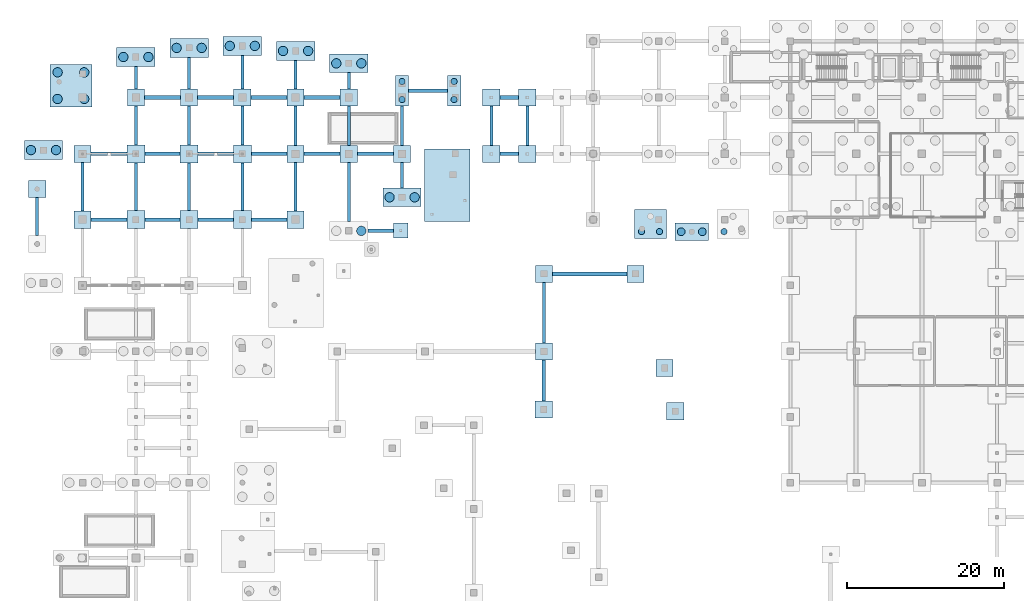
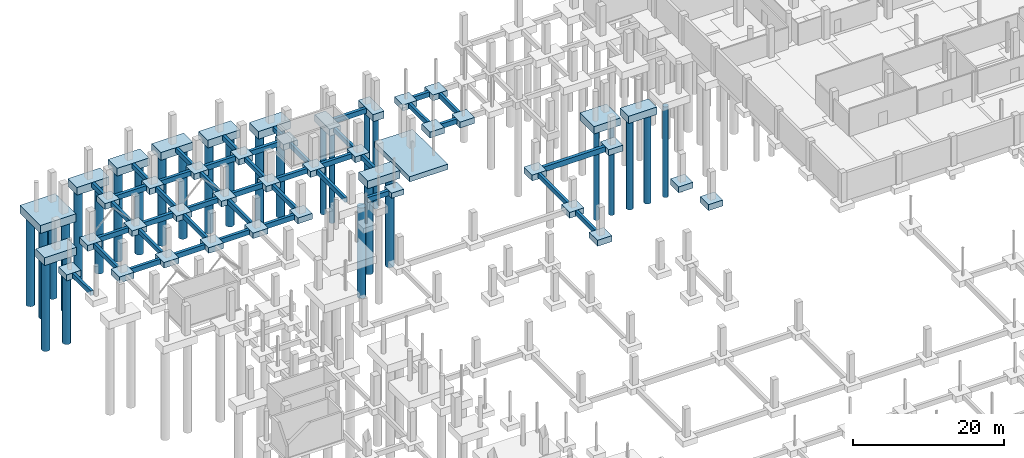
# One storey, part 4 of 44: 84 footings, 28 piles.
"""IFC4 building model written with IfcOpenShell, lengths in metres."""

from ifc_helpers import new_model, si_unit, direction, frame, origin, origin_2d, place, context, subcontext, project, spatial, rectangle, circle, extrude, material, material_profile, profile_set, type_object, element, save


model = new_model("IFC4")

# Units and contexts
model_context = context("Model", 3, precision=1e-05, world=origin(), true_north=direction((0.0, 1.0)))
body_context = subcontext(model_context, "Body", "Model", "MODEL_VIEW")
ifc_project = project(units=[si_unit("LENGTHUNIT", "METRE"), si_unit("AREAUNIT", "SQUARE_METRE"), si_unit("VOLUMEUNIT", "CUBIC_METRE"), si_unit("PLANEANGLEUNIT", "RADIAN"), si_unit("MASSUNIT", "GRAM", prefix="KILO")], contexts=[model_context])

# Site, building, storey
site_placement = place(None, origin())
site = spatial("IfcSite", under=ifc_project, at=site_placement, CompositionType="ELEMENT")
building_placement = place(site_placement, origin())
building = spatial("IfcBuilding", under=site, at=building_placement, Name="Kisaragi Civic Commons", CompositionType="ELEMENT")
storey_placement = place(building_placement, frame((0.0, 0.0, -4.800048828125)))
storey = spatial("IfcBuildingStorey", under=building, at=storey_placement, Name="B1", CompositionType="ELEMENT", Elevation=-4.800048828125)

# Footings
ifc_material_1 = material(Name="Concrete Fc27", Category="concrete")
ifc_material_profile_1 = material_profile(ifc_material_1, rectangle(XDim=0.5, YDim=0.85009765625, at=origin_2d()), Name="RC-500x850", Category="concrete")
ifc_profile_set_1 = profile_set([ifc_material_profile_1], Name="Concrete Fc27")
footing_type_1 = type_object("IfcFootingType", Name="FB-01", PredefinedType="FOOTING_BEAM", material=ifc_profile_set_1)
footing_1_placement = place(storey_placement, frame((66.83642578125, 89.073486328125, -0.425048828125), z_axis=(1.0, 0.0, 0.0), x_axis=(0.0, 1.0, 0.0)))
element("IfcFooting", 1, at=footing_1_placement, inside=storey, type_object=footing_type_1, Name="Foundation tie beam FB-01 X98", PredefinedType="FOOTING_BEAM", context=body_context, shape_type="SweptSolid", body=[
    extrude(rectangle(XDim=0.5, YDim=0.85009765625, at=origin_2d()), origin(), (0.0, 0.0, 1.0), 9.4736328125),
])
ifc_material_profile_2 = material_profile(ifc_material_1, rectangle(XDim=0.449951171875, YDim=0.800048828125, at=origin_2d()), Name="RC-450x800", Category="concrete")
ifc_profile_set_2 = profile_set([ifc_material_profile_2], Name="Concrete Fc27")
footing_type_2 = type_object("IfcFootingType", Name="FB-02", PredefinedType="FOOTING_BEAM", material=ifc_profile_set_2)
footing_2_placement = place(storey_placement, frame((43.25, 94.565185546875, -0.39990234375), z_axis=(1.0, 0.0, 0.0), x_axis=(0.0, 1.0, 0.0)))
element("IfcFooting", 2, at=footing_2_placement, inside=storey, type_object=footing_type_2, Name="Foundation tie beam FB-02 X99", PredefinedType="FOOTING_BEAM", context=body_context, shape_type="SweptSolid", body=[
    extrude(rectangle(XDim=0.449951171875, YDim=0.800048828125, at=origin_2d()), origin(), (0.0, 0.0, 1.0), 3.232666015625),
])
footing_3_placement = place(storey_placement, frame((7.89990234375, 96.0, -0.39990234375), z_axis=(1.0, 0.0, 0.0), x_axis=(0.0, 1.0, 0.0)))
element("IfcFooting", 3, at=footing_3_placement, inside=storey, type_object=footing_type_2, Name="Foundation tie beam FB-02 X100", PredefinedType="FOOTING_BEAM", context=body_context, shape_type="SweptSolid", body=[
    extrude(rectangle(XDim=0.449951171875, YDim=0.800048828125, at=origin_2d()), origin(), (0.0, 0.0, 1.0), 4.550048828125),
])
for number, where, z_axis, x_axis, name in (
    (4, (14.75, 96.0, -0.39990234375), (1.0, 0.0, 0.0), (0.0, 1.0, 0.0), "Foundation tie beam FB-02 X101"),
    (5, (21.550048828125, 96.0, -0.39990234375), (1.0, 0.0, 0.0), (0.0, 1.0, 0.0), "Foundation tie beam FB-02 X102"),
):
    element("IfcFooting", number, at=place(storey_placement, frame(where, z_axis=z_axis, x_axis=x_axis)), inside=storey, type_object=footing_type_2, Name=name, PredefinedType="FOOTING_BEAM", context=body_context, shape_type="SweptSolid", body=[
        extrude(rectangle(XDim=0.449951171875, YDim=0.800048828125, at=origin_2d()), origin(), (0.0, 0.0, 1.0), 4.5),
    ])
footing_4_placement = place(storey_placement, frame((28.35009765625, 96.0, -0.39990234375), z_axis=(1.0, 0.0, 0.0), x_axis=(0.0, 1.0, 0.0)))
element("IfcFooting", 6, at=footing_4_placement, inside=storey, type_object=footing_type_2, Name="Foundation tie beam FB-02 X103", PredefinedType="FOOTING_BEAM", context=body_context, shape_type="SweptSolid", body=[
    extrude(rectangle(XDim=0.449951171875, YDim=0.800048828125, at=origin_2d()), origin(), (0.0, 0.0, 1.0), 4.5498046875),
])
footing_5_placement = place(storey_placement, frame((7.89990234375, 104.39990234375, -0.39990234375), z_axis=(1.0, 0.0, 0.0), x_axis=(0.0, 1.0, 0.0)))
element("IfcFooting", 7, at=footing_5_placement, inside=storey, type_object=footing_type_2, Name="Foundation tie beam FB-02 X109", PredefinedType="FOOTING_BEAM", context=body_context, shape_type="SweptSolid", body=[
    extrude(rectangle(XDim=0.449951171875, YDim=0.800048828125, at=origin_2d()), origin(), (0.0, 0.0, 1.0), 4.550048828125),
])
for number, where, z_axis, x_axis, name in (
    (8, (14.75, 104.39990234375, -0.39990234375), (1.0, 0.0, 0.0), (0.0, 1.0, 0.0), "Foundation tie beam FB-02 X110"),
    (9, (21.550048828125, 104.39990234375, -0.39990234375), (1.0, 0.0, 0.0), (0.0, 1.0, 0.0), "Foundation tie beam FB-02 X111"),
):
    element("IfcFooting", number, at=place(storey_placement, frame(where, z_axis=z_axis, x_axis=x_axis)), inside=storey, type_object=footing_type_2, Name=name, PredefinedType="FOOTING_BEAM", context=body_context, shape_type="SweptSolid", body=[
        extrude(rectangle(XDim=0.449951171875, YDim=0.800048828125, at=origin_2d()), origin(), (0.0, 0.0, 1.0), 4.5),
    ])
footing_6_placement = place(storey_placement, frame((28.35009765625, 104.39990234375, -0.39990234375), z_axis=(1.0, 0.0, 0.0), x_axis=(0.0, 1.0, 0.0)))
element("IfcFooting", 10, at=footing_6_placement, inside=storey, type_object=footing_type_2, Name="Foundation tie beam FB-02 X112", PredefinedType="FOOTING_BEAM", context=body_context, shape_type="SweptSolid", body=[
    extrude(rectangle(XDim=0.449951171875, YDim=0.800048828125, at=origin_2d()), origin(), (0.0, 0.0, 1.0), 4.5498046875),
])
footing_7_placement = place(storey_placement, frame((35.10009765625, 104.39990234375, -0.39990234375), z_axis=(1.0, 0.0, 0.0), x_axis=(0.0, 1.0, 0.0)))
element("IfcFooting", 11, at=footing_7_placement, inside=storey, type_object=footing_type_2, Name="Foundation tie beam FB-02 X113", PredefinedType="FOOTING_BEAM", context=body_context, shape_type="SweptSolid", body=[
    extrude(rectangle(XDim=0.449951171875, YDim=0.800048828125, at=origin_2d()), origin(), (0.0, 0.0, 1.0), 4.599853515625),
])
footing_8_placement = place(storey_placement, frame((41.89990234375, 104.39990234375, -0.39990234375), z_axis=(1.0, 0.0, 0.0), x_axis=(0.0, 1.0, 0.0)))
element("IfcFooting", 12, at=footing_8_placement, inside=storey, type_object=footing_type_2, Name="Foundation tie beam FB-02 X114", PredefinedType="FOOTING_BEAM", context=body_context, shape_type="SweptSolid", body=[
    extrude(rectangle(XDim=0.449951171875, YDim=0.800048828125, at=origin_2d()), origin(), (0.0, 0.0, 1.0), 4.60009765625),
])
footing_9_placement = place(storey_placement, frame((60.10009765625, 104.39990234375, -0.39990234375), z_axis=(1.0, 0.0, 0.0), x_axis=(0.0, 1.0, 0.0)))
element("IfcFooting", 13, at=footing_9_placement, inside=storey, type_object=footing_type_2, Name="Foundation tie beam FB-02 X115", PredefinedType="FOOTING_BEAM", context=body_context, shape_type="SweptSolid", body=[
    extrude(rectangle(XDim=0.449951171875, YDim=0.800048828125, at=origin_2d()), origin(), (0.0, 0.0, 1.0), 2.39990234375),
])
for number, where, z_axis, x_axis, name in (
    (14, (14.699951171875, 111.60009765625, -0.39990234375), (1.0, 0.0, 0.0), (0.0, 1.0, 0.0), "Foundation tie beam FB-02 X128"),
    (15, (21.5, 111.60009765625, -0.39990234375), (1.0, 0.0, 0.0), (0.0, 1.0, 0.0), "Foundation tie beam FB-02 X129"),
):
    element("IfcFooting", number, at=place(storey_placement, frame(where, z_axis=z_axis, x_axis=x_axis)), inside=storey, type_object=footing_type_2, Name=name, PredefinedType="FOOTING_BEAM", context=body_context, shape_type="SweptSolid", body=[
        extrude(rectangle(XDim=0.449951171875, YDim=0.800048828125, at=origin_2d()), origin(), (0.0, 0.0, 1.0), 4.60009765625),
    ])
for number, where, z_axis, x_axis, name in (
    (16, (28.300048828125, 111.60009765625, -0.39990234375), (1.0, 0.0, 0.0), (0.0, 1.0, 0.0), "Foundation tie beam FB-02 X130"),
    (17, (35.10009765625, 111.60009765625, -0.39990234375), (1.0, 0.0, 0.0), (0.0, 1.0, 0.0), "Foundation tie beam FB-02 X131"),
):
    element("IfcFooting", number, at=place(storey_placement, frame(where, z_axis=z_axis, x_axis=x_axis)), inside=storey, type_object=footing_type_2, Name=name, PredefinedType="FOOTING_BEAM", context=body_context, shape_type="SweptSolid", body=[
        extrude(rectangle(XDim=0.449951171875, YDim=0.800048828125, at=origin_2d()), origin(), (0.0, 0.0, 1.0), 4.599853515625),
    ])
footing_10_placement = place(storey_placement, frame((60.10009765625, 111.60009765625, -0.39990234375), z_axis=(1.0, 0.0, 0.0), x_axis=(0.0, 1.0, 0.0)))
element("IfcFooting", 18, at=footing_10_placement, inside=storey, type_object=footing_type_2, Name="Foundation tie beam FB-02 X132", PredefinedType="FOOTING_BEAM", context=body_context, shape_type="SweptSolid", body=[
    extrude(rectangle(XDim=0.449951171875, YDim=0.800048828125, at=origin_2d()), origin(), (0.0, 0.0, 1.0), 2.39990234375),
])
footing_11_placement = place(storey_placement, frame((48.449951171875, 112.489990234375, -0.39990234375), z_axis=(1.0, 0.0, 0.0), x_axis=(0.0, 1.0, 0.0)))
element("IfcFooting", 19, at=footing_11_placement, inside=storey, type_object=footing_type_2, Name="Foundation tie beam FB-02 X145", PredefinedType="FOOTING_BEAM", context=body_context, shape_type="SweptSolid", body=[
    extrude(rectangle(XDim=0.449951171875, YDim=0.800048828125, at=origin_2d()), origin(), (0.0, 0.0, 1.0), 4.949951171875),
])
ifc_material_profile_3 = material_profile(ifc_material_1, rectangle(XDim=0.39990234375, YDim=0.75, at=origin_2d()), Name="RC-400x750", Category="concrete")
ifc_profile_set_3 = profile_set([ifc_material_profile_3], Name="Concrete Fc27")
footing_type_3 = type_object("IfcFootingType", Name="FB-03", PredefinedType="FOOTING_BEAM", material=ifc_profile_set_3)
footing_12_placement = place(storey_placement, frame((0.9912109375, 93.99658203125, -0.375), z_axis=(0.0, 1.0, 0.0), x_axis=(-1.0, 0.0, 0.0)))
element("IfcFooting", 20, at=footing_12_placement, inside=storey, type_object=footing_type_3, Name="Foundation tie beam FB-03 Y155", PredefinedType="FOOTING_BEAM", context=body_context, shape_type="SweptSolid", body=[
    extrude(rectangle(XDim=0.39990234375, YDim=0.75, at=origin_2d()), origin(), (0.0, 0.0, 1.0), 4.806884765625),
])
footing_13_placement = place(storey_placement, frame((6.800048828125, 97.10009765625, -0.375), z_axis=(0.0, 1.0, 0.0), x_axis=(-1.0, 0.0, 0.0)))
element("IfcFooting", 21, at=footing_13_placement, inside=storey, type_object=footing_type_3, Name="Foundation tie beam FB-03 Y160", PredefinedType="FOOTING_BEAM", context=body_context, shape_type="SweptSolid", body=[
    extrude(rectangle(XDim=0.39990234375, YDim=0.75, at=origin_2d()), origin(), (0.0, 0.0, 1.0), 6.199951171875),
])
footing_14_placement = place(storey_placement, frame((13.60009765625, 97.14990234375, -0.375), z_axis=(0.0, 1.0, 0.0), x_axis=(-1.0, 0.0, 0.0)))
element("IfcFooting", 22, at=footing_14_placement, inside=storey, type_object=footing_type_3, Name="Foundation tie beam FB-03 Y173", PredefinedType="FOOTING_BEAM", context=body_context, shape_type="SweptSolid", body=[
    extrude(rectangle(XDim=0.39990234375, YDim=0.75, at=origin_2d()), origin(), (0.0, 0.0, 1.0), 6.10009765625),
])
footing_15_placement = place(storey_placement, frame((13.60009765625, 105.550048828125, -0.375), z_axis=(0.0, 1.0, 0.0), x_axis=(-1.0, 0.0, 0.0)))
element("IfcFooting", 23, at=footing_15_placement, inside=storey, type_object=footing_type_3, Name="Foundation tie beam FB-03 Y174", PredefinedType="FOOTING_BEAM", context=body_context, shape_type="SweptSolid", body=[
    extrude(rectangle(XDim=0.39990234375, YDim=0.75, at=origin_2d()), origin(), (0.0, 0.0, 1.0), 4.949951171875),
])
footing_16_placement = place(storey_placement, frame((13.60009765625, 112.699951171875, -0.375), z_axis=(0.0, 1.0, 0.0), x_axis=(-1.0, 0.0, 0.0)))
element("IfcFooting", 24, at=footing_16_placement, inside=storey, type_object=footing_type_3, Name="Foundation tie beam FB-03 Y175", PredefinedType="FOOTING_BEAM", context=body_context, shape_type="SweptSolid", body=[
    extrude(rectangle(XDim=0.39990234375, YDim=0.75, at=origin_2d()), origin(), (0.0, 0.0, 1.0), 2.870361328125),
])
footing_17_placement = place(storey_placement, frame((20.39990234375, 97.14990234375, -0.375), z_axis=(0.0, 1.0, 0.0), x_axis=(-1.0, 0.0, 0.0)))
element("IfcFooting", 25, at=footing_17_placement, inside=storey, type_object=footing_type_3, Name="Foundation tie beam FB-03 Y188", PredefinedType="FOOTING_BEAM", context=body_context, shape_type="SweptSolid", body=[
    extrude(rectangle(XDim=0.39990234375, YDim=0.75, at=origin_2d()), origin(), (0.0, 0.0, 1.0), 6.10009765625),
])
footing_18_placement = place(storey_placement, frame((20.39990234375, 105.550048828125, -0.375), z_axis=(0.0, 1.0, 0.0), x_axis=(-1.0, 0.0, 0.0)))
element("IfcFooting", 26, at=footing_18_placement, inside=storey, type_object=footing_type_3, Name="Foundation tie beam FB-03 Y189", PredefinedType="FOOTING_BEAM", context=body_context, shape_type="SweptSolid", body=[
    extrude(rectangle(XDim=0.39990234375, YDim=0.75, at=origin_2d()), origin(), (0.0, 0.0, 1.0), 4.949951171875),
])
footing_19_placement = place(storey_placement, frame((20.39990234375, 112.699951171875, -0.375), z_axis=(0.0, 1.0, 0.0), x_axis=(-1.0, 0.0, 0.0)))
element("IfcFooting", 27, at=footing_19_placement, inside=storey, type_object=footing_type_3, Name="Foundation tie beam FB-03 Y190", PredefinedType="FOOTING_BEAM", context=body_context, shape_type="SweptSolid", body=[
    extrude(rectangle(XDim=0.39990234375, YDim=0.75, at=origin_2d()), origin(), (0.0, 0.0, 1.0), 4.0341796875),
])
footing_20_placement = place(storey_placement, frame((27.199951171875, 97.14990234375, -0.375), z_axis=(0.0, 1.0, 0.0), x_axis=(-1.0, 0.0, 0.0)))
element("IfcFooting", 28, at=footing_20_placement, inside=storey, type_object=footing_type_3, Name="Foundation tie beam FB-03 Y195", PredefinedType="FOOTING_BEAM", context=body_context, shape_type="SweptSolid", body=[
    extrude(rectangle(XDim=0.39990234375, YDim=0.75, at=origin_2d()), origin(), (0.0, 0.0, 1.0), 6.10009765625),
])
footing_21_placement = place(storey_placement, frame((27.199951171875, 105.550048828125, -0.375), z_axis=(0.0, 1.0, 0.0), x_axis=(-1.0, 0.0, 0.0)))
element("IfcFooting", 29, at=footing_21_placement, inside=storey, type_object=footing_type_3, Name="Foundation tie beam FB-03 Y196", PredefinedType="FOOTING_BEAM", context=body_context, shape_type="SweptSolid", body=[
    extrude(rectangle(XDim=0.39990234375, YDim=0.75, at=origin_2d()), origin(), (0.0, 0.0, 1.0), 4.949951171875),
])
footing_22_placement = place(storey_placement, frame((27.199951171875, 112.699951171875, -0.375), z_axis=(0.0, 1.0, 0.0), x_axis=(-1.0, 0.0, 0.0)))
element("IfcFooting", 30, at=footing_22_placement, inside=storey, type_object=footing_type_3, Name="Foundation tie beam FB-03 Y197", PredefinedType="FOOTING_BEAM", context=body_context, shape_type="SweptSolid", body=[
    extrude(rectangle(XDim=0.39990234375, YDim=0.75, at=origin_2d()), origin(), (0.0, 0.0, 1.0), 4.28857421875),
])
footing_23_placement = place(storey_placement, frame((34.0, 97.10009765625, -0.375), z_axis=(0.0, 1.0, 0.0), x_axis=(-1.0, 0.0, 0.0)))
element("IfcFooting", 31, at=footing_23_placement, inside=storey, type_object=footing_type_3, Name="Foundation tie beam FB-03 Y200", PredefinedType="FOOTING_BEAM", context=body_context, shape_type="SweptSolid", body=[
    extrude(rectangle(XDim=0.39990234375, YDim=0.75, at=origin_2d()), origin(), (0.0, 0.0, 1.0), 6.199951171875),
])
footing_24_placement = place(storey_placement, frame((34.0, 105.5, -0.375), z_axis=(0.0, 1.0, 0.0), x_axis=(-1.0, 0.0, 0.0)))
element("IfcFooting", 32, at=footing_24_placement, inside=storey, type_object=footing_type_3, Name="Foundation tie beam FB-03 Y201", PredefinedType="FOOTING_BEAM", context=body_context, shape_type="SweptSolid", body=[
    extrude(rectangle(XDim=0.39990234375, YDim=0.75, at=origin_2d()), origin(), (0.0, 0.0, 1.0), 5.0),
])
footing_25_placement = place(storey_placement, frame((34.0, 112.699951171875, -0.375), z_axis=(0.0, 1.0, 0.0), x_axis=(-1.0, 0.0, 0.0)))
element("IfcFooting", 33, at=footing_25_placement, inside=storey, type_object=footing_type_3, Name="Foundation tie beam FB-03 Y202", PredefinedType="FOOTING_BEAM", context=body_context, shape_type="SweptSolid", body=[
    extrude(rectangle(XDim=0.39990234375, YDim=0.75, at=origin_2d()), origin(), (0.0, 0.0, 1.0), 3.64599609375),
])
footing_26_placement = place(storey_placement, frame((40.800048828125, 95.76513671875, -0.375), z_axis=(0.0, 1.0, 0.0), x_axis=(-1.0, 0.0, 0.0)))
element("IfcFooting", 34, at=footing_26_placement, inside=storey, type_object=footing_type_3, Name="Foundation tie beam FB-03 Y204", PredefinedType="FOOTING_BEAM", context=body_context, shape_type="SweptSolid", body=[
    extrude(rectangle(XDim=0.39990234375, YDim=0.75, at=origin_2d()), origin(), (0.0, 0.0, 1.0), 7.534912109375),
])
footing_27_placement = place(storey_placement, frame((40.800048828125, 105.5, -0.375), z_axis=(0.0, 1.0, 0.0), x_axis=(-1.0, 0.0, 0.0)))
element("IfcFooting", 35, at=footing_27_placement, inside=storey, type_object=footing_type_3, Name="Foundation tie beam FB-03 Y205", PredefinedType="FOOTING_BEAM", context=body_context, shape_type="SweptSolid", body=[
    extrude(rectangle(XDim=0.39990234375, YDim=0.75, at=origin_2d()), origin(), (0.0, 0.0, 1.0), 5.0),
])
footing_28_placement = place(storey_placement, frame((40.800048828125, 112.699951171875, -0.375), z_axis=(0.0, 1.0, 0.0), x_axis=(-1.0, 0.0, 0.0)))
element("IfcFooting", 36, at=footing_28_placement, inside=storey, type_object=footing_type_3, Name="Foundation tie beam FB-03 Y206", PredefinedType="FOOTING_BEAM", context=body_context, shape_type="SweptSolid", body=[
    extrude(rectangle(XDim=0.39990234375, YDim=0.75, at=origin_2d()), origin(), (0.0, 0.0, 1.0), 2.064208984375),
])
footing_29_placement = place(storey_placement, frame((47.60009765625, 100.05126953125, -0.375), z_axis=(0.0, 1.0, 0.0), x_axis=(-1.0, 0.0, 0.0)))
element("IfcFooting", 37, at=footing_29_placement, inside=storey, type_object=footing_type_3, Name="Foundation tie beam FB-03 Y208", PredefinedType="FOOTING_BEAM", context=body_context, shape_type="SweptSolid", body=[
    extrude(rectangle(XDim=0.39990234375, YDim=0.75, at=origin_2d()), origin(), (0.0, 0.0, 1.0), 3.248779296875),
])
footing_30_placement = place(storey_placement, frame((47.60009765625, 105.5, -0.375), z_axis=(0.0, 1.0, 0.0), x_axis=(-1.0, 0.0, 0.0)))
element("IfcFooting", 38, at=footing_30_placement, inside=storey, type_object=footing_type_3, Name="Foundation tie beam FB-03 Y209", PredefinedType="FOOTING_BEAM", context=body_context, shape_type="SweptSolid", body=[
    extrude(rectangle(XDim=0.39990234375, YDim=0.75, at=origin_2d()), origin(), (0.0, 0.0, 1.0), 5.0400390625),
])
for number, where, z_axis, x_axis, name in (
    (39, (59.0, 105.5, -0.375), (0.0, 1.0, 0.0), (-1.0, 0.0, 0.0), "Foundation tie beam FB-03 Y214"),
    (40, (63.60009765625, 105.5, -0.375), (0.0, 1.0, 0.0), (-1.0, 0.0, 0.0), "Foundation tie beam FB-03 Y216"),
):
    element("IfcFooting", number, at=place(storey_placement, frame(where, z_axis=z_axis, x_axis=x_axis)), inside=storey, type_object=footing_type_3, Name=name, PredefinedType="FOOTING_BEAM", context=body_context, shape_type="SweptSolid", body=[
        extrude(rectangle(XDim=0.39990234375, YDim=0.75, at=origin_2d()), origin(), (0.0, 0.0, 1.0), 5.0),
    ])
footing_31_placement = place(storey_placement, frame((65.701416015625, 72.84765625, -0.375), z_axis=(0.0, 1.0, 0.0), x_axis=(-1.0, 0.0, 0.0)))
element("IfcFooting", 41, at=footing_31_placement, inside=storey, type_object=footing_type_3, Name="Foundation tie beam FB-03 Y218", PredefinedType="FOOTING_BEAM", context=body_context, shape_type="SweptSolid", body=[
    extrude(rectangle(XDim=0.39990234375, YDim=0.75, at=origin_2d()), origin(), (0.0, 0.0, 1.0), 5.21240234375),
])
footing_32_placement = place(storey_placement, frame((65.736328125, 80.260009765625, -0.375), z_axis=(0.0, 1.0, 0.0), x_axis=(-1.0, 0.0, 0.0)))
element("IfcFooting", 42, at=footing_32_placement, inside=storey, type_object=footing_type_3, Name="Foundation tie beam FB-03 Y219", PredefinedType="FOOTING_BEAM", context=body_context, shape_type="SweptSolid", body=[
    extrude(rectangle(XDim=0.39990234375, YDim=0.75, at=origin_2d()), origin(), (0.0, 0.0, 1.0), 7.713623046875),
])

# Piles
ifc_material_profile_4 = material_profile(ifc_material_1, circle(Radius=0.39990234375, at=origin_2d()), Name="PILE-D800", Category="concrete")
ifc_profile_set_4 = profile_set([ifc_material_profile_4], Name="Concrete Fc27")
pile_type_1 = type_object("IfcPileType", Name="P-08", PredefinedType="BORED", material=ifc_profile_set_4)
for number, where, z_axis, x_axis, name in (
    (43, (47.60009765625, 111.340087890625, -1.099853515625), (0.0, 0.0, -1.0), (1.0, 0.0, 0.0), "Bored pile P-08 110.1"),
    (44, (47.60009765625, 113.639892578125, -1.099853515625), (0.0, 0.0, -1.0), (1.0, 0.0, 0.0), "Bored pile P-08 110.2"),
    (45, (54.25, 111.340087890625, -1.099853515625), (0.0, 0.0, -1.0), (1.0, 0.0, 0.0), "Bored pile P-08 117.1"),
    (46, (54.25, 113.639892578125, -1.099853515625), (0.0, 0.0, -1.0), (1.0, 0.0, 0.0), "Bored pile P-08 117.2"),
    (47, (78.17626953125, 94.469482421875, -1.099853515625), (0.0, 0.0, -1.0), (1.0, 0.0, 0.0), "Bored pile P-08 152.1"),
    (48, (80.476318359375, 94.469482421875, -1.099853515625), (0.0, 0.0, -1.0), (1.0, 0.0, 0.0), "Bored pile P-08 152.2"),
    (49, (88.723876953125, 94.469482421875, -1.099853515625), (0.0, 0.0, -1.0), (1.0, 0.0, 0.0), "Bored pile P-08 163.1"),
):
    element("IfcPile", number, at=place(storey_placement, frame(where, z_axis=z_axis, x_axis=x_axis)), inside=storey, type_object=pile_type_1, Name=name, PredefinedType="BORED", context=body_context, shape_type="SweptSolid", body=[
        extrude(circle(Radius=0.39990234375, at=origin_2d()), origin(), (0.0, 0.0, 1.0), 14.60009765625),
    ])
ifc_material_profile_5 = material_profile(ifc_material_1, circle(Radius=0.5, at=origin_2d()), Name="PILE-D1000", Category="concrete")
ifc_profile_set_5 = profile_set([ifc_material_profile_5], Name="Concrete Fc27")
pile_type_2 = type_object("IfcPileType", Name="P-10", PredefinedType="BORED", material=ifc_profile_set_5)
for number, where, z_axis, x_axis, name in (
    (50, (83.25, 94.450439453125, -1.099853515625), (0.0, 0.0, -1.0), (1.0, 0.0, 0.0), "Bored pile P-10 160.1"),
    (51, (85.949951171875, 94.450439453125, -1.099853515625), (0.0, 0.0, -1.0), (1.0, 0.0, 0.0), "Bored pile P-10 160.2"),
):
    element("IfcPile", number, at=place(storey_placement, frame(where, z_axis=z_axis, x_axis=x_axis)), inside=storey, type_object=pile_type_2, Name=name, PredefinedType="BORED", context=body_context, shape_type="SweptSolid", body=[
        extrude(circle(Radius=0.5, at=origin_2d()), origin(), (0.0, 0.0, 1.0), 14.60009765625),
    ])
ifc_material_profile_6 = material_profile(ifc_material_1, circle(Radius=0.60009765625, at=origin_2d()), Name="PILE-D1200", Category="concrete")
ifc_profile_set_6 = profile_set([ifc_material_profile_6], Name="Concrete Fc27")
pile_type_3 = type_object("IfcPileType", Name="P-12", PredefinedType="BORED", material=ifc_profile_set_6)
for number, where, z_axis, x_axis, name in (
    (52, (0.199951171875, 104.8837890625, -1.099853515625), (0.0, 0.0, -1.0), (1.0, 0.0, 0.0), "Bored pile P-12 8.1"),
    (53, (3.39990234375, 104.8837890625, -1.099853515625), (0.0, 0.0, -1.0), (1.0, 0.0, 0.0), "Bored pile P-12 8.2"),
    (54, (3.60009765625, 111.41552734375, -1.099853515625), (0.0, 0.0, -1.0), (1.0, 0.0, 0.0), "Bored pile P-12 12.1"),
    (55, (7.0, 111.41552734375, -1.099853515625), (0.0, 0.0, -1.0), (1.0, 0.0, 0.0), "Bored pile P-12 12.2"),
    (56, (3.60009765625, 114.8154296875, -1.099853515625), (0.0, 0.0, -1.0), (1.0, 0.0, 0.0), "Bored pile P-12 12.3"),
    (57, (7.0, 114.8154296875, -1.099853515625), (0.0, 0.0, -1.0), (1.0, 0.0, 0.0), "Bored pile P-12 12.4"),
    (58, (12.0, 116.770263671875, -1.099853515625), (0.0, 0.0, -1.0), (1.0, 0.0, 0.0), "Bored pile P-12 39.1"),
    (59, (15.199951171875, 116.770263671875, -1.099853515625), (0.0, 0.0, -1.0), (1.0, 0.0, 0.0), "Bored pile P-12 39.2"),
    (60, (18.800048828125, 117.93408203125, -1.099853515625), (0.0, 0.0, -1.0), (1.0, 0.0, 0.0), "Bored pile P-12 56.1"),
    (61, (22.0, 117.93408203125, -1.099853515625), (0.0, 0.0, -1.0), (1.0, 0.0, 0.0), "Bored pile P-12 56.2"),
    (62, (25.60009765625, 118.1884765625, -1.099853515625), (0.0, 0.0, -1.0), (1.0, 0.0, 0.0), "Bored pile P-12 70.1"),
    (63, (28.800048828125, 118.1884765625, -1.099853515625), (0.0, 0.0, -1.0), (1.0, 0.0, 0.0), "Bored pile P-12 70.2"),
    (64, (32.39990234375, 117.5458984375, -1.099853515625), (0.0, 0.0, -1.0), (1.0, 0.0, 0.0), "Bored pile P-12 84.1"),
    (65, (35.60009765625, 117.5458984375, -1.099853515625), (0.0, 0.0, -1.0), (1.0, 0.0, 0.0), "Bored pile P-12 84.2"),
    (66, (42.39990234375, 94.565185546875, -1.099853515625), (0.0, 0.0, -1.0), (1.0, 0.0, 0.0), "Bored pile P-12 95.2"),
    (67, (39.199951171875, 115.964111328125, -1.099853515625), (0.0, 0.0, -1.0), (1.0, 0.0, 0.0), "Bored pile P-12 98.1"),
    (68, (42.39990234375, 115.964111328125, -1.099853515625), (0.0, 0.0, -1.0), (1.0, 0.0, 0.0), "Bored pile P-12 98.2"),
    (69, (46.0, 98.851318359375, -1.099853515625), (0.0, 0.0, -1.0), (1.0, 0.0, 0.0), "Bored pile P-12 108.1"),
    (70, (49.199951171875, 98.851318359375, -1.099853515625), (0.0, 0.0, -1.0), (1.0, 0.0, 0.0), "Bored pile P-12 108.2"),
):
    element("IfcPile", number, at=place(storey_placement, frame(where, z_axis=z_axis, x_axis=x_axis)), inside=storey, type_object=pile_type_3, Name=name, PredefinedType="BORED", context=body_context, shape_type="SweptSolid", body=[
        extrude(circle(Radius=0.60009765625, at=origin_2d()), origin(), (0.0, 0.0, 1.0), 14.60009765625),
    ])

# Footings
ifc_material_2 = material(Name="Concrete Fc36", Category="concrete")
footing_type_4 = type_object("IfcFootingType", Name="PC-2B", PredefinedType="PILE_CAP", material=ifc_material_2)
for number, where, z_axis, x_axis, name in (
    (71, (47.60009765625, 112.489990234375, -1.14990234375), (0.0, 0.0, 1.0), (1.0, 0.0, 0.0), "Pile cap PC-2B 110"),
    (72, (54.25, 112.489990234375, -1.14990234375), (0.0, 0.0, 1.0), (1.0, 0.0, 0.0), "Pile cap PC-2B 117"),
):
    element("IfcFooting", number, at=place(storey_placement, frame(where, z_axis=z_axis, x_axis=x_axis)), inside=storey, type_object=footing_type_4, Name=name, PredefinedType="PILE_CAP", context=body_context, shape_type="SweptSolid", body=[
        extrude(rectangle(XDim=1.699951171875, YDim=3.89990234375, at=origin_2d()), origin(), (0.0, 0.0, 1.0), 1.14990234375),
    ])
footing_type_5 = type_object("IfcFootingType", Name="PC-3A", PredefinedType="PILE_CAP", material=ifc_material_2)
footing_33_placement = place(storey_placement, frame((79.326416015625, 95.419677734375, -1.19970703125), z_axis=(0.0, 0.0, 1.0), x_axis=(1.0, 0.0, 0.0)))
element("IfcFooting", 73, at=footing_33_placement, inside=storey, type_object=footing_type_5, Name="Pile cap PC-3A 152", PredefinedType="PILE_CAP", context=body_context, shape_type="SweptSolid", body=[
    extrude(rectangle(XDim=4.10009765625, YDim=3.699951171875, at=origin_2d()), origin(), (0.0, 0.0, 1.0), 1.199951171875),
])
footing_type_6 = type_object("IfcFootingType", Name="PC-4A", PredefinedType="PILE_CAP", material=ifc_material_2)
footing_34_placement = place(storey_placement, frame((84.60009765625, 94.450439453125, -1.19970703125), z_axis=(0.0, 0.0, 1.0), x_axis=(1.0, 0.0, 0.0)))
element("IfcFooting", 74, at=footing_34_placement, inside=storey, type_object=footing_type_6, Name="Pile cap PC-4A 160", PredefinedType="PILE_CAP", context=body_context, shape_type="SweptSolid", body=[
    extrude(rectangle(XDim=4.300048828125, YDim=2.199951171875, at=origin_2d()), origin(), (0.0, 0.0, 1.0), 1.199951171875),
])
footing_type_7 = type_object("IfcFootingType", Name="PC-4B", PredefinedType="PILE_CAP", material=ifc_material_2)
for number, where, z_axis, x_axis, name in (
    (75, (1.800048828125, 104.8837890625, -1.25), (0.0, 0.0, 1.0), (1.0, 0.0, 0.0), "Pile cap PC-4B 8"),
    (76, (13.60009765625, 116.770263671875, -1.25), (0.0, 0.0, 1.0), (1.0, 0.0, 0.0), "Pile cap PC-4B 39"),
    (77, (20.39990234375, 117.93408203125, -1.25), (0.0, 0.0, 1.0), (1.0, 0.0, 0.0), "Pile cap PC-4B 56"),
    (78, (27.199951171875, 118.1884765625, -1.25), (0.0, 0.0, 1.0), (1.0, 0.0, 0.0), "Pile cap PC-4B 70"),
    (79, (34.0, 117.5458984375, -1.25), (0.0, 0.0, 1.0), (1.0, 0.0, 0.0), "Pile cap PC-4B 84"),
    (80, (40.800048828125, 115.964111328125, -1.25), (0.0, 0.0, 1.0), (1.0, 0.0, 0.0), "Pile cap PC-4B 98"),
    (81, (47.60009765625, 98.851318359375, -1.25), (0.0, 0.0, 1.0), (1.0, 0.0, 0.0), "Pile cap PC-4B 108"),
):
    element("IfcFooting", number, at=place(storey_placement, frame(where, z_axis=z_axis, x_axis=x_axis)), inside=storey, type_object=footing_type_7, Name=name, PredefinedType="PILE_CAP", context=body_context, shape_type="SweptSolid", body=[
        extrude(rectangle(XDim=4.89990234375, YDim=2.39990234375, at=origin_2d()), origin(), (0.0, 0.0, 1.0), 1.25),
    ])
footing_type_8 = type_object("IfcFootingType", Name="PC-4C", PredefinedType="PILE_CAP", material=ifc_material_2)
footing_35_placement = place(storey_placement, frame((5.300048828125, 113.115478515625, -1.2998046875), z_axis=(0.0, 0.0, 1.0), x_axis=(1.0, 0.0, 0.0)))
element("IfcFooting", 82, at=footing_35_placement, inside=storey, type_object=footing_type_8, Name="Pile cap PC-4C 12", PredefinedType="PILE_CAP", context=body_context, shape_type="SweptSolid", body=[
    extrude(rectangle(XDim=5.39990234375, YDim=5.39990234375, at=origin_2d()), origin(), (0.0, 0.0, 1.0), 1.300048828125),
])
footing_type_9 = type_object("IfcFootingType", Name="PF-01", PredefinedType="PAD_FOOTING", material=ifc_material_2)
footing_36_placement = place(storey_placement, frame((47.4326171875, 94.62451171875, -0.85009765625), z_axis=(0.0, 0.0, 1.0), x_axis=(1.0, 0.0, 0.0)))
element("IfcFooting", 83, at=footing_36_placement, inside=storey, type_object=footing_type_9, Name="Pad footing PF-01 106", PredefinedType="PAD_FOOTING", context=body_context, shape_type="SweptSolid", body=[
    extrude(rectangle(XDim=1.89990234375, YDim=1.89990234375, at=origin_2d()), origin(), (0.0, 0.0, 1.0), 0.85009765625),
])
footing_type_10 = type_object("IfcFootingType", Name="PF-02", PredefinedType="PAD_FOOTING", material=ifc_material_2)
for number, where, z_axis, x_axis, name in (
    (84, (0.9912109375, 99.9033203125, -0.94970703125), (0.0, 0.0, 1.0), (1.0, 0.0, 0.0), "Pad footing PF-02 4"),
    (85, (6.800048828125, 96.0, -0.94970703125), (0.0, 0.0, 1.0), (1.0, 0.0, 0.0), "Pad footing PF-02 20"),
    (86, (6.800048828125, 104.39990234375, -0.94970703125), (0.0, 0.0, 1.0), (1.0, 0.0, 0.0), "Pad footing PF-02 21"),
    (87, (13.60009765625, 111.60009765625, -0.94970703125), (0.0, 0.0, 1.0), (1.0, 0.0, 0.0), "Pad footing PF-02 38"),
    (88, (20.39990234375, 111.60009765625, -0.94970703125), (0.0, 0.0, 1.0), (1.0, 0.0, 0.0), "Pad footing PF-02 55"),
    (89, (27.199951171875, 111.60009765625, -0.94970703125), (0.0, 0.0, 1.0), (1.0, 0.0, 0.0), "Pad footing PF-02 69"),
    (90, (34.0, 96.0, -0.94970703125), (0.0, 0.0, 1.0), (1.0, 0.0, 0.0), "Pad footing PF-02 81"),
    (91, (34.0, 104.39990234375, -0.94970703125), (0.0, 0.0, 1.0), (1.0, 0.0, 0.0), "Pad footing PF-02 82"),
    (92, (34.0, 111.60009765625, -0.94970703125), (0.0, 0.0, 1.0), (1.0, 0.0, 0.0), "Pad footing PF-02 83"),
    (93, (40.800048828125, 104.39990234375, -0.94970703125), (0.0, 0.0, 1.0), (1.0, 0.0, 0.0), "Pad footing PF-02 96"),
    (94, (40.800048828125, 111.60009765625, -0.94970703125), (0.0, 0.0, 1.0), (1.0, 0.0, 0.0), "Pad footing PF-02 97"),
    (95, (47.60009765625, 104.39990234375, -0.94970703125), (0.0, 0.0, 1.0), (1.0, 0.0, 0.0), "Pad footing PF-02 109"),
    (96, (59.0, 104.39990234375, -0.94970703125), (0.0, 0.0, 1.0), (1.0, 0.0, 0.0), "Pad footing PF-02 124"),
    (97, (59.0, 111.60009765625, -0.94970703125), (0.0, 0.0, 1.0), (1.0, 0.0, 0.0), "Pad footing PF-02 125"),
    (98, (63.60009765625, 104.39990234375, -0.94970703125), (0.0, 0.0, 1.0), (1.0, 0.0, 0.0), "Pad footing PF-02 128"),
    (99, (63.60009765625, 111.60009765625, -0.94970703125), (0.0, 0.0, 1.0), (1.0, 0.0, 0.0), "Pad footing PF-02 129"),
    (100, (65.701416015625, 71.74755859375, -0.94970703125), (0.0, 0.0, 1.0), (1.0, 0.0, 0.0), "Pad footing PF-02 130"),
    (101, (65.736328125, 79.159912109375, -0.94970703125), (0.0, 0.0, 1.0), (1.0, 0.0, 0.0), "Pad footing PF-02 134"),
    (102, (65.736328125, 89.073486328125, -0.94970703125), (0.0, 0.0, 1.0), (1.0, 0.0, 0.0), "Pad footing PF-02 135"),
    (103, (77.409912109375, 89.073486328125, -0.94970703125), (0.0, 0.0, 1.0), (1.0, 0.0, 0.0), "Pad footing PF-02 151"),
    (104, (81.134765625, 77.048583984375, -0.94970703125), (0.0, 0.0, 1.0), (1.0, 0.0, 0.0), "Pad footing PF-02 158"),
    (105, (82.498291015625, 71.53076171875, -0.94970703125), (0.0, 0.0, 1.0), (1.0, 0.0, 0.0), "Pad footing PF-02 159"),
):
    element("IfcFooting", number, at=place(storey_placement, frame(where, z_axis=z_axis, x_axis=x_axis)), inside=storey, type_object=footing_type_10, Name=name, PredefinedType="PAD_FOOTING", context=body_context, shape_type="SweptSolid", body=[
        extrude(rectangle(XDim=2.199951171875, YDim=2.199951171875, at=origin_2d()), origin(), (0.0, 0.0, 1.0), 0.949951171875),
    ])
footing_type_11 = type_object("IfcFootingType", Name="PF-04", PredefinedType="PAD_FOOTING", material=ifc_material_2)
for number, where, z_axis, x_axis, name in (
    (106, (13.60009765625, 96.0, -0.89990234375), (0.0, 0.0, 1.0), (1.0, 0.0, 0.0), "Pad footing PF-04 36"),
    (107, (13.60009765625, 104.39990234375, -0.89990234375), (0.0, 0.0, 1.0), (1.0, 0.0, 0.0), "Pad footing PF-04 37"),
    (108, (20.39990234375, 96.0, -0.89990234375), (0.0, 0.0, 1.0), (1.0, 0.0, 0.0), "Pad footing PF-04 53"),
    (109, (20.39990234375, 104.39990234375, -0.89990234375), (0.0, 0.0, 1.0), (1.0, 0.0, 0.0), "Pad footing PF-04 54"),
    (110, (27.199951171875, 96.0, -0.89990234375), (0.0, 0.0, 1.0), (1.0, 0.0, 0.0), "Pad footing PF-04 67"),
    (111, (27.199951171875, 104.39990234375, -0.89990234375), (0.0, 0.0, 1.0), (1.0, 0.0, 0.0), "Pad footing PF-04 68"),
):
    element("IfcFooting", number, at=place(storey_placement, frame(where, z_axis=z_axis, x_axis=x_axis)), inside=storey, type_object=footing_type_11, Name=name, PredefinedType="PAD_FOOTING", context=body_context, shape_type="SweptSolid", body=[
        extrude(rectangle(XDim=2.300048828125, YDim=2.300048828125, at=origin_2d()), origin(), (0.0, 0.0, 1.0), 0.89990234375),
    ])
footing_type_12 = type_object("IfcFootingType", Name="PF-M05", PredefinedType="PAD_FOOTING", material=ifc_material_2)
footing_37_placement = place(storey_placement, frame((53.359619140625, 100.399169921875, -0.85009765625), z_axis=(0.0, 0.0, 1.0), x_axis=(1.0, 0.0, 0.0)))
element("IfcFooting", 112, at=footing_37_placement, inside=storey, type_object=footing_type_12, Name="Pad footing PF-M05 113", PredefinedType="PAD_FOOTING", context=body_context, shape_type="SweptSolid", body=[
    extrude(rectangle(XDim=5.81591796875, YDim=9.302001953125, at=origin_2d()), origin(), (0.0, 0.0, 1.0), 0.85009765625),
])

save(model, "model.ifc")
